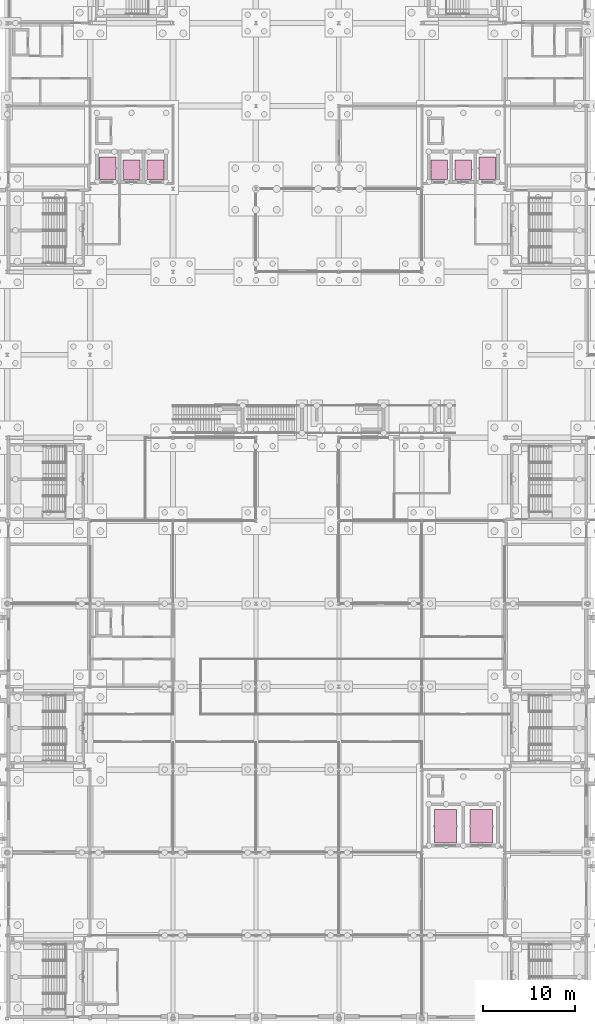
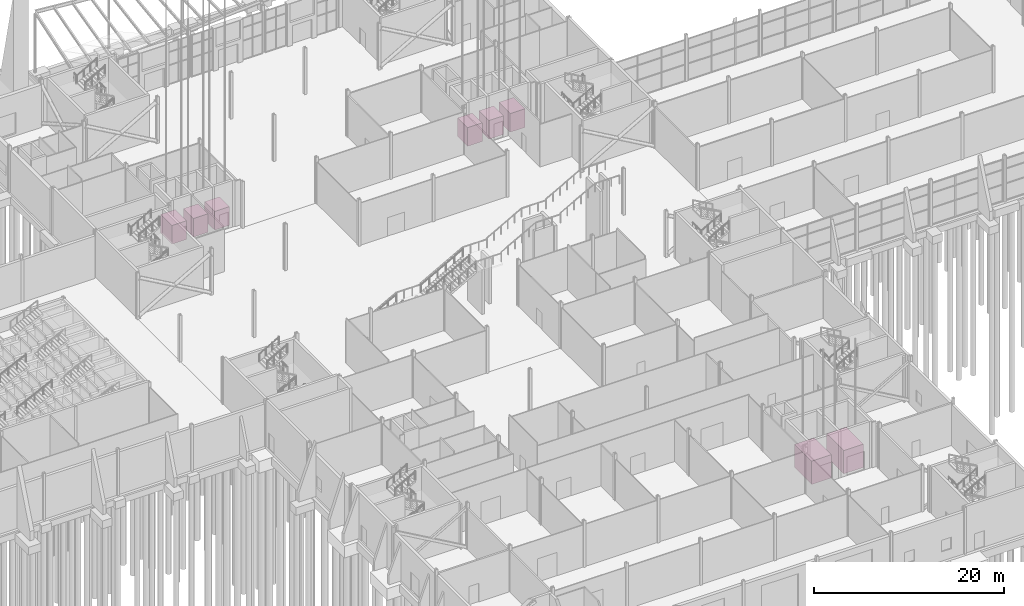
# One storey, part 139 of 139: 8 transport elements.
"""IFC4 building model written with IfcOpenShell, lengths in metres."""

import ifcopenshell
import ifcopenshell.guid

model = None  # the IFC model being written
_history = None  # IfcOwnerHistory: only IFC2X3 demands one
_inside = {}  # id of a spatial element -> (the spatial element, [elements in it])
_under = {}  # id of a project, library or spatial element -> (it, [spatial elements below it])
_declared = {}  # id of a project -> (the project, [libraries it declares])
_typed = {}  # id of a type object -> (the type object, [elements of that type])
_made_of = {}  # id of a material, layer set ... -> (it, [elements and type objects made of it])


def new_model(schema):
    """Start an empty IFC model of exactly this schema.

    Asked for "IFC4X3", IfcOpenShell would pick the latest addendum, in which some entities
    have other attributes; the version numbers below select the first issue.
    IFC2X3 requires an IfcOwnerHistory on every rooted entity: one is made here for all.
    """
    global model, _history
    if schema == "IFC4X3":
        model = ifcopenshell.file(schema_version=(4, 3, 0, 0))
    else:
        model = ifcopenshell.file(schema=schema)
    _inside.clear()
    _under.clear()
    _declared.clear()
    _typed.clear()
    _made_of.clear()
    _history = None
    if model.schema == "IFC2X3":
        org = make("IfcOrganization", Name="unknown")
        user = make(
            "IfcPersonAndOrganization",
            ThePerson=make("IfcPerson", FamilyName="unknown"),
            TheOrganization=org,
        )
        app = make(
            "IfcApplication",
            ApplicationDeveloper=org,
            Version="unknown",
            ApplicationFullName="unknown",
            ApplicationIdentifier="unknown",
        )
        _history = make(
            "IfcOwnerHistory",
            OwningUser=user,
            OwningApplication=app,
            ChangeAction="ADDED",
            CreationDate=0,
        )
    return model


def make(cls, **values):
    """One entity of the class cls with the attributes given. An attribute that is None is left unset."""
    return model.create_entity(
        cls, **{name: value for name, value in values.items() if value is not None}
    )


def rooted(cls, **values):
    """An entity with a GlobalId (a new one), such as an element, a storey or a relation."""
    return make(cls, GlobalId=ifcopenshell.guid.new(), OwnerHistory=_history, **values)


def si_unit(unit_type, name, prefix=None):
    """IfcSIUnit, for example si_unit("LENGTHUNIT", "METRE", prefix="MILLI")."""
    return make("IfcSIUnit", UnitType=unit_type, Prefix=prefix, Name=name)


def assignment(units):
    """IfcUnitAssignment: the units of a project."""
    return None if units is None else make("IfcUnitAssignment", Units=units)


def point(xyz):
    """IfcCartesianPoint."""
    return None if xyz is None else make("IfcCartesianPoint", Coordinates=xyz)


def direction(xyz):
    """IfcDirection."""
    return None if xyz is None else make("IfcDirection", DirectionRatios=xyz)


def frame(location, z_axis=None, x_axis=None):
    """IfcAxis2Placement3D, a coordinate frame: its origin and axes. An axis left out is left unset."""
    return make(
        "IfcAxis2Placement3D",
        Location=point(location),
        Axis=direction(z_axis),
        RefDirection=direction(x_axis),
    )


def frame_2d(location, x_axis=None):
    """IfcAxis2Placement2D, a coordinate frame in the plane: its origin and x axis."""
    return make(
        "IfcAxis2Placement2D", Location=point(location), RefDirection=direction(x_axis)
    )


def origin():
    """The frame at (0, 0, 0) with its axes left unset."""
    return frame((0.0, 0.0, 0.0))


def origin_2d():
    """The frame at (0, 0) in the plane with its x axis left unset."""
    return frame_2d((0.0, 0.0))


def place(relative_to, where):
    """IfcLocalPlacement: puts the frame where relative to a parent placement (None: the world)."""
    return make(
        "IfcLocalPlacement", PlacementRelTo=relative_to, RelativePlacement=where
    )


def context(
    kind, dimensions, precision=None, world=None, true_north=None, identifier=None
):
    """IfcGeometricRepresentationContext, for example the 3D "Model" context."""
    return make(
        "IfcGeometricRepresentationContext",
        ContextIdentifier=identifier,
        ContextType=kind,
        CoordinateSpaceDimension=dimensions,
        Precision=precision,
        WorldCoordinateSystem=world,
        TrueNorth=true_north,
    )


def subcontext(parent, identifier, kind, view, scale=None):
    """IfcGeometricRepresentationSubContext, for example "Body" below "Model"."""
    return make(
        "IfcGeometricRepresentationSubContext",
        ContextIdentifier=identifier,
        ContextType=kind,
        ParentContext=parent,
        TargetScale=scale,
        TargetView=view,
    )


def project(units=None, contexts=None):
    """IfcProject with its units and contexts."""
    return rooted(
        "IfcProject",
        Name="project",
        RepresentationContexts=contexts,
        UnitsInContext=assignment(units),
    )


def spatial(cls, under=None, at=None, **own):
    """A site, building, storey or space (cls), placed at a placement, below another one or the project."""
    s = rooted(cls, ObjectPlacement=at, **own)
    if under is not None:
        _under.setdefault(under.id(), (under, []))[1].append(s)
    return s


def profile(cls, at=None, kind="AREA", **sizes):
    """A parametric profile (cls). Its sizes go by their IFC names, for example OverallWidth=200.0."""
    return make(cls, ProfileType=kind, Position=at, **sizes)


def rectangle(**sizes):
    """IfcRectangleProfileDef."""
    return profile("IfcRectangleProfileDef", **sizes)


def extrude(swept, where, along, depth):
    """IfcExtrudedAreaSolid: the profile swept, set in the frame where, extruded along a direction by depth."""
    return make(
        "IfcExtrudedAreaSolid",
        SweptArea=swept,
        Position=where,
        ExtrudedDirection=direction(along),
        Depth=depth,
    )


def shape(context_of_items, identifier, shape_type, items):
    """IfcShapeRepresentation: the items that make up one representation, for example the "Body"."""
    return make(
        "IfcShapeRepresentation",
        ContextOfItems=context_of_items,
        RepresentationIdentifier=identifier,
        RepresentationType=shape_type,
        Items=items,
    )


def material(Name=None, Category=None):
    """IfcMaterial."""
    return make("IfcMaterial", Name=Name, Category=Category)


def made_of(thing, what):
    """Note that an element or type object is made of a material, layer set ...; save() writes the relation."""
    if what is not None:
        _made_of.setdefault(what.id(), (what, []))[1].append(thing)
    return thing


def type_object(cls, material=None, **own):
    """A type object (cls), such as IfcWallType, which elements share."""
    return made_of(rooted(cls, **own), material)


def element(
    cls,
    number,
    at=None,
    inside=None,
    cuts=None,
    type_object=None,
    material=None,
    context=None,
    identifier="Body",
    shape_type=None,
    held_by="IfcProductDefinitionShape",
    body=None,
    shapes=None,
    **own,
):
    """One element of the class cls, such as IfcWall. Its Tag is "e" and its number.

    at: its placement. inside: the storey or other place that contains it. cuts: it is an
    opening in that element (IfcRelVoidsElement). A single representation is given by context,
    identifier, shape_type and body (its items); several are given by shapes. held_by: the class
    of the entity that holds the representations. save() writes the other relations.
    """
    e = rooted(cls, Tag="e%d" % number, ObjectPlacement=at, **own)
    if body is not None:
        shapes = [shape(context, identifier, shape_type, body)]
    if shapes is not None:
        e.Representation = make(held_by, Representations=shapes)
    if inside is not None:
        _inside.setdefault(inside.id(), (inside, []))[1].append(e)
    if cuts is not None:
        rooted(
            "IfcRelVoidsElement", RelatingBuildingElement=cuts, RelatedOpeningElement=e
        )
    if type_object is not None:
        _typed.setdefault(type_object.id(), (type_object, []))[1].append(e)
    return made_of(e, material)


def aggregate(whole, parts):
    """IfcRelAggregates: a whole, such as a stair, and the parts it consists of."""
    return rooted("IfcRelAggregates", RelatingObject=whole, RelatedObjects=parts)


def save(model, path):
    """Write the relations noted so far, then the file.

    IfcRelAggregates (storeys below a building ...), IfcRelContainedInSpatialStructure (elements
    in a storey), IfcRelDefinesByType, IfcRelAssociatesMaterial and IfcRelDeclares: one each for
    every whole, place, type object, material and project.
    """
    for whole, parts in _under.values():
        aggregate(whole, parts)
    for where, things in _inside.values():
        rooted(
            "IfcRelContainedInSpatialStructure",
            RelatedElements=things,
            RelatingStructure=where,
        )
    for kind, things in _typed.values():
        rooted("IfcRelDefinesByType", RelatedObjects=things, RelatingType=kind)
    for what, things in _made_of.values():
        rooted("IfcRelAssociatesMaterial", RelatedObjects=things, RelatingMaterial=what)
    for by, libraries in _declared.values():
        rooted("IfcRelDeclares", RelatingContext=by, RelatedDefinitions=libraries)
    model.write(path)


model = new_model("IFC4")

# Units and contexts
model_context = context("Model", 3, precision=1e-05, world=origin(), true_north=direction((0.0, 1.0)))
body_context = subcontext(model_context, "Body", "Model", "MODEL_VIEW")
ifc_project = project(units=[si_unit("LENGTHUNIT", "METRE"), si_unit("AREAUNIT", "SQUARE_METRE"), si_unit("VOLUMEUNIT", "CUBIC_METRE"), si_unit("PLANEANGLEUNIT", "RADIAN"), si_unit("MASSUNIT", "GRAM", prefix="KILO")], contexts=[model_context])

# Site, building, storey
site_placement = place(None, origin())
site = spatial("IfcSite", under=ifc_project, at=site_placement, CompositionType="ELEMENT")
building_placement = place(site_placement, origin())
building = spatial("IfcBuilding", under=site, at=building_placement, Name="Shorebreak Coast Museum", CompositionType="ELEMENT")
storey_placement = place(building_placement, origin())
storey = spatial("IfcBuildingStorey", under=building, at=storey_placement, Name="L00", CompositionType="ELEMENT", Elevation=0.0)

# Transport elements
ifc_material_1 = material(Name="Steel Grade 300", Category="steel")
transport_element_type_1 = type_object("IfcTransportElementType", Name="Firefighting lift 1600 kg", PredefinedType="ELEVATOR", material=ifc_material_1)
for number, where, z_axis, x_axis, name in (
    (1, (64.89990234375, 92.25, 0.0), (0.0, 0.0, 1.0), (1.0, 0.0, 0.0), "Firefighting Lift FL1"),
    (2, (106.10009765625, 92.25, 0.0), (0.0, 0.0, 1.0), (1.0, 0.0, 0.0), "Firefighting Lift FL2"),
):
    element("IfcTransportElement", number, at=place(storey_placement, frame(where, z_axis=z_axis, x_axis=x_axis)), inside=storey, type_object=transport_element_type_1, Name=name, PredefinedType="ELEVATOR", context=body_context, shape_type="SweptSolid", body=[
        extrude(rectangle(XDim=1.800048828125, YDim=2.39990234375, at=origin_2d()), origin(), (0.0, 0.0, 1.0), 2.39990234375),
    ])
ifc_material_2 = material(Name="Steel Grade 300", Category="steel")
transport_element_type_2 = type_object("IfcTransportElementType", Name="Goods lift 3000 kg", PredefinedType="ELEVATOR", material=ifc_material_2)
transport_element_1_placement = place(storey_placement, frame((105.449951171875, 20.85009765625, 0.0), z_axis=(0.0, 0.0, 1.0), x_axis=(1.0, 0.0, 0.0)))
element("IfcTransportElement", 3, at=transport_element_1_placement, inside=storey, type_object=transport_element_type_2, Name="Goods Lift 2", PredefinedType="ELEVATOR", context=body_context, shape_type="SweptSolid", body=[
    extrude(rectangle(XDim=2.39990234375, YDim=3.60009765625, at=origin_2d()), origin(), (0.0, 0.0, 1.0), 3.0),
])
ifc_material_3 = material(Name="Steel Grade 300", Category="steel")
transport_element_type_3 = type_object("IfcTransportElementType", Name="Goods lift 5000 kg", PredefinedType="ELEVATOR", material=ifc_material_3)
transport_element_2_placement = place(storey_placement, frame((101.550048828125, 20.85009765625, 0.0), z_axis=(0.0, 0.0, 1.0), x_axis=(1.0, 0.0, 0.0)))
element("IfcTransportElement", 4, at=transport_element_2_placement, inside=storey, type_object=transport_element_type_3, Name="Goods Lift 1", PredefinedType="ELEVATOR", context=body_context, shape_type="SweptSolid", body=[
    extrude(rectangle(XDim=2.39990234375, YDim=3.60009765625, at=origin_2d()), origin(), (0.0, 0.0, 1.0), 3.0),
])
ifc_material_4 = material(Name="Steel Grade 300", Category="steel")
transport_element_type_4 = type_object("IfcTransportElementType", Name="Passenger lift 1350 kg", PredefinedType="ELEVATOR", material=ifc_material_4)
for number, where, z_axis, x_axis, name in (
    (5, (67.5, 92.10009765625, 0.0), (0.0, 0.0, 1.0), (1.0, 0.0, 0.0), "Lift P1"),
    (6, (70.10009765625, 92.10009765625, 0.0), (0.0, 0.0, 1.0), (1.0, 0.0, 0.0), "Lift P2"),
    (7, (100.89990234375, 92.10009765625, 0.0), (0.0, 0.0, 1.0), (1.0, 0.0, 0.0), "Lift P3"),
    (8, (103.5, 92.10009765625, 0.0), (0.0, 0.0, 1.0), (1.0, 0.0, 0.0), "Lift P4"),
):
    element("IfcTransportElement", number, at=place(storey_placement, frame(where, z_axis=z_axis, x_axis=x_axis)), inside=storey, type_object=transport_element_type_4, Name=name, PredefinedType="ELEVATOR", context=body_context, shape_type="SweptSolid", body=[
        extrude(rectangle(XDim=1.800048828125, YDim=2.10009765625, at=origin_2d()), origin(), (0.0, 0.0, 1.0), 2.39990234375),
    ])

save(model, "model.ifc")
